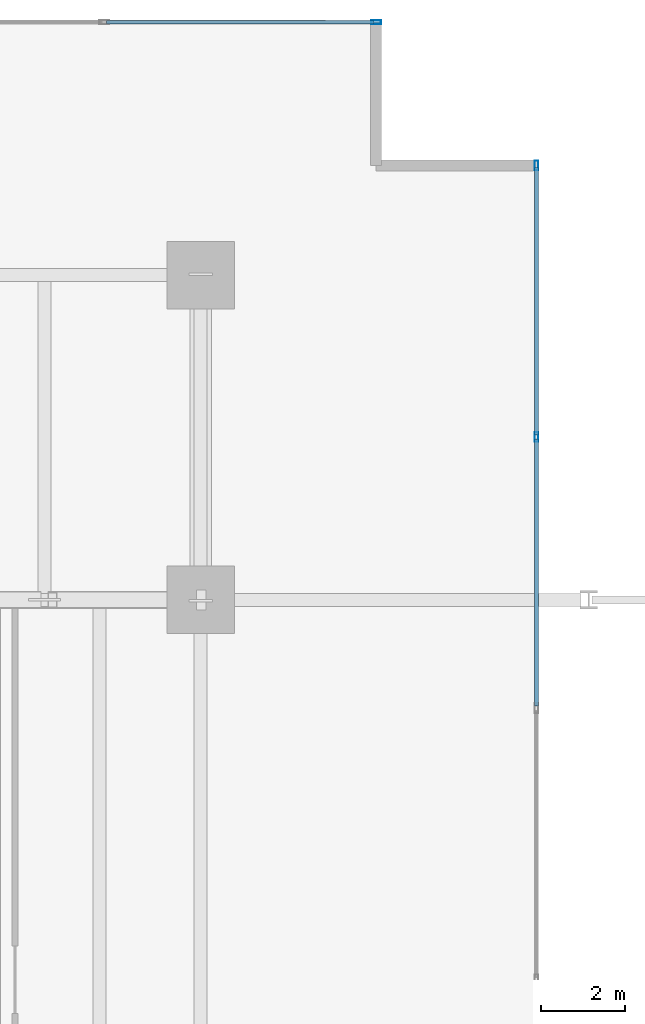
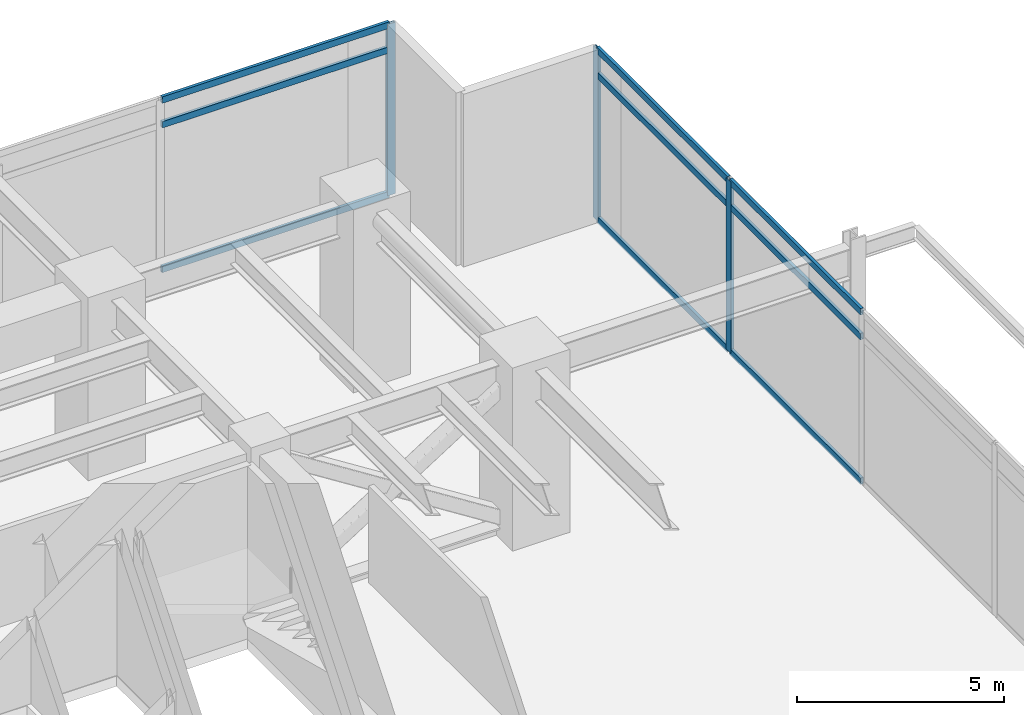
# One storey, part 20 of 26: 12 members, 2 elements without a shape of their own.
"""IFC4 building model written with IfcOpenShell, lengths in metres."""

import ifcopenshell
import ifcopenshell.guid

model = None  # the IFC model being written
_history = None  # IfcOwnerHistory: only IFC2X3 demands one
_inside = {}  # id of a spatial element -> (the spatial element, [elements in it])
_under = {}  # id of a project, library or spatial element -> (it, [spatial elements below it])
_declared = {}  # id of a project -> (the project, [libraries it declares])
_typed = {}  # id of a type object -> (the type object, [elements of that type])
_made_of = {}  # id of a material, layer set ... -> (it, [elements and type objects made of it])


def new_model(schema):
    """Start an empty IFC model of exactly this schema.

    Asked for "IFC4X3", IfcOpenShell would pick the latest addendum, in which some entities
    have other attributes; the version numbers below select the first issue.
    IFC2X3 requires an IfcOwnerHistory on every rooted entity: one is made here for all.
    """
    global model, _history
    if schema == "IFC4X3":
        model = ifcopenshell.file(schema_version=(4, 3, 0, 0))
    else:
        model = ifcopenshell.file(schema=schema)
    _inside.clear()
    _under.clear()
    _declared.clear()
    _typed.clear()
    _made_of.clear()
    _history = None
    if model.schema == "IFC2X3":
        org = make("IfcOrganization", Name="unknown")
        user = make(
            "IfcPersonAndOrganization",
            ThePerson=make("IfcPerson", FamilyName="unknown"),
            TheOrganization=org,
        )
        app = make(
            "IfcApplication",
            ApplicationDeveloper=org,
            Version="unknown",
            ApplicationFullName="unknown",
            ApplicationIdentifier="unknown",
        )
        _history = make(
            "IfcOwnerHistory",
            OwningUser=user,
            OwningApplication=app,
            ChangeAction="ADDED",
            CreationDate=0,
        )
    return model


def make(cls, **values):
    """One entity of the class cls with the attributes given. An attribute that is None is left unset."""
    return model.create_entity(
        cls, **{name: value for name, value in values.items() if value is not None}
    )


def rooted(cls, **values):
    """An entity with a GlobalId (a new one), such as an element, a storey or a relation."""
    return make(cls, GlobalId=ifcopenshell.guid.new(), OwnerHistory=_history, **values)


def si_unit(unit_type, name, prefix=None):
    """IfcSIUnit, for example si_unit("LENGTHUNIT", "METRE", prefix="MILLI")."""
    return make("IfcSIUnit", UnitType=unit_type, Prefix=prefix, Name=name)


def assignment(units):
    """IfcUnitAssignment: the units of a project."""
    return None if units is None else make("IfcUnitAssignment", Units=units)


def point(xyz):
    """IfcCartesianPoint."""
    return None if xyz is None else make("IfcCartesianPoint", Coordinates=xyz)


def direction(xyz):
    """IfcDirection."""
    return None if xyz is None else make("IfcDirection", DirectionRatios=xyz)


def frame(location, z_axis=None, x_axis=None):
    """IfcAxis2Placement3D, a coordinate frame: its origin and axes. An axis left out is left unset."""
    return make(
        "IfcAxis2Placement3D",
        Location=point(location),
        Axis=direction(z_axis),
        RefDirection=direction(x_axis),
    )


def frame_2d(location, x_axis=None):
    """IfcAxis2Placement2D, a coordinate frame in the plane: its origin and x axis."""
    return make(
        "IfcAxis2Placement2D", Location=point(location), RefDirection=direction(x_axis)
    )


def origin():
    """The frame at (0, 0, 0) with its axes left unset."""
    return frame((0.0, 0.0, 0.0))


def origin_2d():
    """The frame at (0, 0) in the plane with its x axis left unset."""
    return frame_2d((0.0, 0.0))


def place(relative_to, where):
    """IfcLocalPlacement: puts the frame where relative to a parent placement (None: the world)."""
    return make(
        "IfcLocalPlacement", PlacementRelTo=relative_to, RelativePlacement=where
    )


def context(
    kind, dimensions, precision=None, world=None, true_north=None, identifier=None
):
    """IfcGeometricRepresentationContext, for example the 3D "Model" context."""
    return make(
        "IfcGeometricRepresentationContext",
        ContextIdentifier=identifier,
        ContextType=kind,
        CoordinateSpaceDimension=dimensions,
        Precision=precision,
        WorldCoordinateSystem=world,
        TrueNorth=true_north,
    )


def subcontext(parent, identifier, kind, view, scale=None):
    """IfcGeometricRepresentationSubContext, for example "Body" below "Model"."""
    return make(
        "IfcGeometricRepresentationSubContext",
        ContextIdentifier=identifier,
        ContextType=kind,
        ParentContext=parent,
        TargetScale=scale,
        TargetView=view,
    )


def project(units=None, contexts=None):
    """IfcProject with its units and contexts."""
    return rooted(
        "IfcProject",
        Name="project",
        RepresentationContexts=contexts,
        UnitsInContext=assignment(units),
    )


def spatial(cls, under=None, at=None, **own):
    """A site, building, storey or space (cls), placed at a placement, below another one or the project."""
    s = rooted(cls, ObjectPlacement=at, **own)
    if under is not None:
        _under.setdefault(under.id(), (under, []))[1].append(s)
    return s


def profile(cls, at=None, kind="AREA", **sizes):
    """A parametric profile (cls). Its sizes go by their IFC names, for example OverallWidth=200.0."""
    return make(cls, ProfileType=kind, Position=at, **sizes)


def hollow_rectangle(**sizes):
    """IfcRectangleHollowProfileDef."""
    return profile("IfcRectangleHollowProfileDef", **sizes)


def extrude(swept, where, along, depth):
    """IfcExtrudedAreaSolid: the profile swept, set in the frame where, extruded along a direction by depth."""
    return make(
        "IfcExtrudedAreaSolid",
        SweptArea=swept,
        Position=where,
        ExtrudedDirection=direction(along),
        Depth=depth,
    )


def shape(context_of_items, identifier, shape_type, items):
    """IfcShapeRepresentation: the items that make up one representation, for example the "Body"."""
    return make(
        "IfcShapeRepresentation",
        ContextOfItems=context_of_items,
        RepresentationIdentifier=identifier,
        RepresentationType=shape_type,
        Items=items,
    )


def material(Name=None, Category=None):
    """IfcMaterial."""
    return make("IfcMaterial", Name=Name, Category=Category)


def material_profile(
    of_material, cross_section, Name=None, Category=None, Priority=None
):
    """IfcMaterialProfile: a cross section and its material."""
    return make(
        "IfcMaterialProfile",
        Name=Name,
        Material=of_material,
        Profile=cross_section,
        Priority=Priority,
        Category=Category,
    )


def profile_set(profiles, Name=None, composite=None):
    """IfcMaterialProfileSet."""
    return make(
        "IfcMaterialProfileSet",
        Name=Name,
        MaterialProfiles=profiles,
        CompositeProfile=composite,
    )


def made_of(thing, what):
    """Note that an element or type object is made of a material, layer set ...; save() writes the relation."""
    if what is not None:
        _made_of.setdefault(what.id(), (what, []))[1].append(thing)
    return thing


def type_object(cls, material=None, **own):
    """A type object (cls), such as IfcWallType, which elements share."""
    return made_of(rooted(cls, **own), material)


def element(
    cls,
    number,
    at=None,
    inside=None,
    cuts=None,
    type_object=None,
    material=None,
    context=None,
    identifier="Body",
    shape_type=None,
    held_by="IfcProductDefinitionShape",
    body=None,
    shapes=None,
    **own,
):
    """One element of the class cls, such as IfcWall. Its Tag is "e" and its number.

    at: its placement. inside: the storey or other place that contains it. cuts: it is an
    opening in that element (IfcRelVoidsElement). A single representation is given by context,
    identifier, shape_type and body (its items); several are given by shapes. held_by: the class
    of the entity that holds the representations. save() writes the other relations.
    """
    e = rooted(cls, Tag="e%d" % number, ObjectPlacement=at, **own)
    if body is not None:
        shapes = [shape(context, identifier, shape_type, body)]
    if shapes is not None:
        e.Representation = make(held_by, Representations=shapes)
    if inside is not None:
        _inside.setdefault(inside.id(), (inside, []))[1].append(e)
    if cuts is not None:
        rooted(
            "IfcRelVoidsElement", RelatingBuildingElement=cuts, RelatedOpeningElement=e
        )
    if type_object is not None:
        _typed.setdefault(type_object.id(), (type_object, []))[1].append(e)
    return made_of(e, material)


def aggregate(whole, parts):
    """IfcRelAggregates: a whole, such as a stair, and the parts it consists of."""
    return rooted("IfcRelAggregates", RelatingObject=whole, RelatedObjects=parts)


def save(model, path):
    """Write the relations noted so far, then the file.

    IfcRelAggregates (storeys below a building ...), IfcRelContainedInSpatialStructure (elements
    in a storey), IfcRelDefinesByType, IfcRelAssociatesMaterial and IfcRelDeclares: one each for
    every whole, place, type object, material and project.
    """
    for whole, parts in _under.values():
        aggregate(whole, parts)
    for where, things in _inside.values():
        rooted(
            "IfcRelContainedInSpatialStructure",
            RelatedElements=things,
            RelatingStructure=where,
        )
    for kind, things in _typed.values():
        rooted("IfcRelDefinesByType", RelatedObjects=things, RelatingType=kind)
    for what, things in _made_of.values():
        rooted("IfcRelAssociatesMaterial", RelatedObjects=things, RelatingMaterial=what)
    for by, libraries in _declared.values():
        rooted("IfcRelDeclares", RelatingContext=by, RelatedDefinitions=libraries)
    model.write(path)


model = new_model("IFC4")

# Units and contexts
model_context = context("Model", 3, precision=1e-05, world=origin(), true_north=direction((0.0, 1.0)))
body_context = subcontext(model_context, "Body", "Model", "MODEL_VIEW")
ifc_project = project(units=[si_unit("LENGTHUNIT", "METRE"), si_unit("AREAUNIT", "SQUARE_METRE"), si_unit("VOLUMEUNIT", "CUBIC_METRE"), si_unit("PLANEANGLEUNIT", "RADIAN"), si_unit("MASSUNIT", "GRAM", prefix="KILO")], contexts=[model_context])

# Site, building, storey
site_placement = place(None, origin())
site = spatial("IfcSite", under=ifc_project, at=site_placement, CompositionType="ELEMENT")
building_placement = place(site_placement, origin())
building = spatial("IfcBuilding", under=site, at=building_placement, Name="Kovane Verandah Tower", CompositionType="ELEMENT")
storey_placement = place(building_placement, frame((0.0, 0.0, 113.0)))
storey = spatial("IfcBuildingStorey", under=building, at=storey_placement, Name="L26", CompositionType="ELEMENT", Elevation=113.0)

# Curtain wall, members
ifc_material_1 = material(Name="Champagne Anodised Aluminium Frame with Low-E Clear Laminated Glass", Category="aluminium")
curtain_wall_type = type_object("IfcCurtainWallType", Name="CW-SYS-02-LOW", PredefinedType="NOTDEFINED", material=ifc_material_1)
curtain_wall_1_placement = place(storey_placement, origin())
curtain_wall_1 = element("IfcCurtainWall", 1, at=curtain_wall_1_placement, inside=storey, type_object=curtain_wall_type, Name="L26 E Unitised Curtain Wall", PredefinedType="NOTDEFINED")
ifc_material_2 = material(Name="Champagne Anodised Aluminium 6063-T6", Category="aluminium")
ifc_material_profile_1 = material_profile(ifc_material_2, hollow_rectangle(XDim=0.0849609375, YDim=0.22998046875, WallThickness=0.00390625, at=origin_2d()), Name="AL85x230x4")
ifc_profile_set_1 = profile_set([ifc_material_profile_1], Name="Champagne Anodised Aluminium 6063-T6")
member_type_1 = type_object("IfcMemberType", Name="CW-MUL-85x230", PredefinedType="MULLION", material=ifc_profile_set_1)
member_1_placement = place(storey_placement, frame((66.364013671875, 40.36328125, 0.02001953125), z_axis=(0.0, 0.0, 1.0), x_axis=(1.0, 0.0, 0.0)))
member_1 = element("IfcMember", 2, at=member_1_placement, type_object=member_type_1, Name="L26 E Unitised Curtain Wall Mullion 6", PredefinedType="MULLION", context=body_context, shape_type="SweptSolid", body=[
    extrude(hollow_rectangle(XDim=0.0849609375, YDim=0.22998046875, WallThickness=0.00390625, at=origin_2d()), origin(), (0.0, 0.0, 1.0), 5.06005859375),
])
member_2_placement = place(storey_placement, frame((66.364013671875, 46.794921875, 0.02001953125), z_axis=(0.0, 0.0, 1.0), x_axis=(1.0, 0.0, 0.0)))
member_2 = element("IfcMember", 3, at=member_2_placement, type_object=member_type_1, Name="L26 E Unitised Curtain Wall Mullion 7", PredefinedType="MULLION", context=body_context, shape_type="SweptSolid", body=[
    extrude(hollow_rectangle(XDim=0.0849609375, YDim=0.22998046875, WallThickness=0.00390625, at=origin_2d()), origin(), (0.0, 0.0, 1.0), 5.06005859375),
])

# Curtain wall, member
curtain_wall_2_placement = place(storey_placement, origin())
curtain_wall_2 = element("IfcCurtainWall", 4, at=curtain_wall_2_placement, inside=storey, type_object=curtain_wall_type, Name="L26 N Unitised Curtain Wall", PredefinedType="NOTDEFINED")
member_3_placement = place(storey_placement, frame((62.564208984375, 50.19482421875, 0.02001953125), z_axis=(0.0, 0.0, 1.0), x_axis=(0.0, 1.0, 0.0)))
member_3 = element("IfcMember", 5, at=member_3_placement, type_object=member_type_1, Name="L26 N Unitised Curtain Wall Mullion 1", PredefinedType="MULLION", context=body_context, shape_type="SweptSolid", body=[
    extrude(hollow_rectangle(XDim=0.0849609375, YDim=0.22998046875, WallThickness=0.00390625, at=origin_2d()), origin(), (0.0, 0.0, 1.0), 5.06005859375),
])

# Member
ifc_material_profile_2 = material_profile(ifc_material_2, hollow_rectangle(XDim=0.0849609375, YDim=0.18994140625, WallThickness=0.00390625, at=origin_2d()), Name="AL85x190x4")
ifc_profile_set_2 = profile_set([ifc_material_profile_2], Name="Champagne Anodised Aluminium 6063-T6")
member_type_2 = type_object("IfcMemberType", Name="CW-TRN-85x190", PredefinedType="USERDEFINED", material=ifc_profile_set_2)
member_4_placement = place(storey_placement, frame((66.364013671875, 33.981689453125, 0.050048828125), z_axis=(0.0, 1.0, 0.0), x_axis=(-1.0, 0.0, 0.0)))
member_4 = element("IfcMember", 6, at=member_4_placement, type_object=member_type_2, Name="L26 E Unitised Curtain Wall Transom TB Bay 5", ObjectType="TRANSOM", PredefinedType="USERDEFINED", context=body_context, shape_type="SweptSolid", body=[
    extrude(hollow_rectangle(XDim=0.0849609375, YDim=0.18994140625, WallThickness=0.00390625, at=origin_2d()), origin(), (0.0, 0.0, 1.0), 6.33154296875),
])

member_5_placement = place(storey_placement, frame((66.364013671875, 33.981689453125, 4.320068359375), z_axis=(0.0, 1.0, 0.0), x_axis=(-1.0, 0.0, 0.0)))
member_5 = element("IfcMember", 7, at=member_5_placement, type_object=member_type_2, Name="L26 E Unitised Curtain Wall Transom TM Bay 5", ObjectType="TRANSOM", PredefinedType="USERDEFINED", context=body_context, shape_type="SweptSolid", body=[
    extrude(hollow_rectangle(XDim=0.0849609375, YDim=0.18994140625, WallThickness=0.00390625, at=origin_2d()), origin(), (0.0, 0.0, 1.0), 6.33154296875),
])

member_6_placement = place(storey_placement, frame((66.364013671875, 33.981689453125, 5.050048828125), z_axis=(0.0, 1.0, 0.0), x_axis=(-1.0, 0.0, 0.0)))
member_6 = element("IfcMember", 8, at=member_6_placement, type_object=member_type_2, Name="L26 E Unitised Curtain Wall Transom TT Bay 5", ObjectType="TRANSOM", PredefinedType="USERDEFINED", context=body_context, shape_type="SweptSolid", body=[
    extrude(hollow_rectangle(XDim=0.0849609375, YDim=0.18994140625, WallThickness=0.00390625, at=origin_2d()), origin(), (0.0, 0.0, 1.0), 6.33154296875),
])

member_7_placement = place(storey_placement, frame((66.364013671875, 40.413330078125, 0.050048828125), z_axis=(0.0, 1.0, 0.0), x_axis=(-1.0, 0.0, 0.0)))
member_7 = element("IfcMember", 9, at=member_7_placement, type_object=member_type_2, Name="L26 E Unitised Curtain Wall Transom TB Bay 6", ObjectType="TRANSOM", PredefinedType="USERDEFINED", context=body_context, shape_type="SweptSolid", body=[
    extrude(hollow_rectangle(XDim=0.0849609375, YDim=0.18994140625, WallThickness=0.00390625, at=origin_2d()), origin(), (0.0, 0.0, 1.0), 6.33154296875),
])

member_8_placement = place(storey_placement, frame((66.364013671875, 40.413330078125, 4.320068359375), z_axis=(0.0, 1.0, 0.0), x_axis=(-1.0, 0.0, 0.0)))
member_8 = element("IfcMember", 10, at=member_8_placement, type_object=member_type_2, Name="L26 E Unitised Curtain Wall Transom TM Bay 6", ObjectType="TRANSOM", PredefinedType="USERDEFINED", context=body_context, shape_type="SweptSolid", body=[
    extrude(hollow_rectangle(XDim=0.0849609375, YDim=0.18994140625, WallThickness=0.00390625, at=origin_2d()), origin(), (0.0, 0.0, 1.0), 6.33154296875),
])

member_9_placement = place(storey_placement, frame((66.364013671875, 40.413330078125, 5.050048828125), z_axis=(0.0, 1.0, 0.0), x_axis=(-1.0, 0.0, 0.0)))
member_9 = element("IfcMember", 11, at=member_9_placement, type_object=member_type_2, Name="L26 E Unitised Curtain Wall Transom TT Bay 6", ObjectType="TRANSOM", PredefinedType="USERDEFINED", context=body_context, shape_type="SweptSolid", body=[
    extrude(hollow_rectangle(XDim=0.0849609375, YDim=0.18994140625, WallThickness=0.00390625, at=origin_2d()), origin(), (0.0, 0.0, 1.0), 6.33154296875),
])

aggregate(curtain_wall_1, [member_1, member_2, member_4, member_5, member_6, member_7, member_8, member_9])

member_10_placement = place(storey_placement, frame((62.51416015625, 50.19482421875, 0.050048828125), z_axis=(-1.0, 0.0, 0.0), x_axis=(0.0, -1.0, 0.0)))
member_10 = element("IfcMember", 12, at=member_10_placement, type_object=member_type_2, Name="L26 N Unitised Curtain Wall Transom TB Bay 1", ObjectType="TRANSOM", PredefinedType="USERDEFINED", context=body_context, shape_type="SweptSolid", body=[
    extrude(hollow_rectangle(XDim=0.0849609375, YDim=0.18994140625, WallThickness=0.00390625, at=origin_2d()), origin(), (0.0, 0.0, 1.0), 6.346923828125),
])

member_11_placement = place(storey_placement, frame((62.51416015625, 50.19482421875, 4.320068359375), z_axis=(-1.0, 0.0, 0.0), x_axis=(0.0, -1.0, 0.0)))
member_11 = element("IfcMember", 13, at=member_11_placement, type_object=member_type_2, Name="L26 N Unitised Curtain Wall Transom TM Bay 1", ObjectType="TRANSOM", PredefinedType="USERDEFINED", context=body_context, shape_type="SweptSolid", body=[
    extrude(hollow_rectangle(XDim=0.0849609375, YDim=0.18994140625, WallThickness=0.00390625, at=origin_2d()), origin(), (0.0, 0.0, 1.0), 6.346923828125),
])

member_12_placement = place(storey_placement, frame((62.51416015625, 50.19482421875, 5.050048828125), z_axis=(-1.0, 0.0, 0.0), x_axis=(0.0, -1.0, 0.0)))
member_12 = element("IfcMember", 14, at=member_12_placement, type_object=member_type_2, Name="L26 N Unitised Curtain Wall Transom TT Bay 1", ObjectType="TRANSOM", PredefinedType="USERDEFINED", context=body_context, shape_type="SweptSolid", body=[
    extrude(hollow_rectangle(XDim=0.0849609375, YDim=0.18994140625, WallThickness=0.00390625, at=origin_2d()), origin(), (0.0, 0.0, 1.0), 6.346923828125),
])

aggregate(curtain_wall_2, [member_3, member_10, member_11, member_12])

save(model, "model.ifc")
